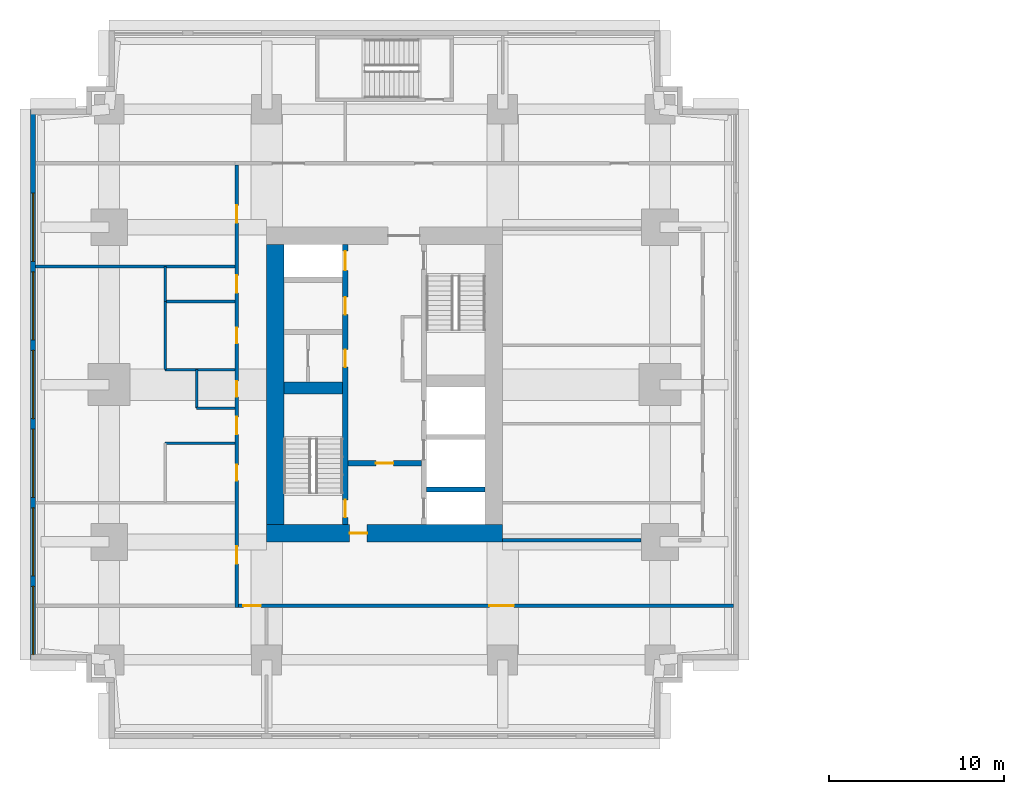
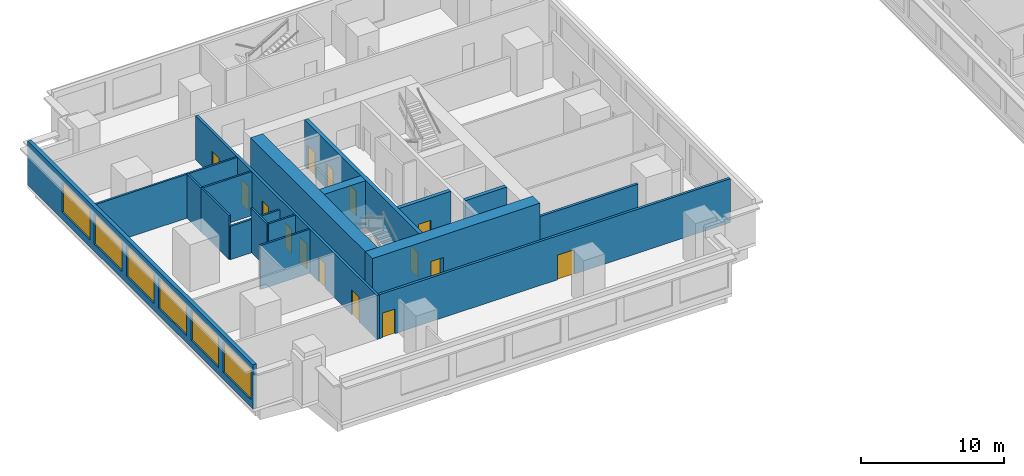
# One storey, part 3 of 10: 18 walls, 15 doors, 6 windows, 21 openings.
"""IFC4 building model written with IfcOpenShell, lengths in metres."""

from ifc_helpers import new_model, si_unit, direction, frame, frame_2d, origin, place, context, subcontext, project, spatial, rectangle, extrude, material, layer, layer_set, type_object, element, fill, save


model = new_model("IFC4")

# Units and contexts
model_context = context("Model", 3, precision=1e-05, world=origin(), true_north=direction((0.0, 1.0)))
body_context = subcontext(model_context, "Body", "Model", "MODEL_VIEW")
ifc_project = project(units=[si_unit("LENGTHUNIT", "METRE"), si_unit("AREAUNIT", "SQUARE_METRE"), si_unit("VOLUMEUNIT", "CUBIC_METRE"), si_unit("PLANEANGLEUNIT", "RADIAN"), si_unit("MASSUNIT", "GRAM", prefix="KILO")], contexts=[model_context])

# Site, building, storey
site_placement = place(None, origin())
site = spatial("IfcSite", under=ifc_project, at=site_placement, CompositionType="ELEMENT")
building_placement = place(site_placement, origin())
building = spatial("IfcBuilding", under=site, at=building_placement, Name="Namib Vertical Campus", CompositionType="ELEMENT")
storey_placement = place(building_placement, frame((0.0, 0.0, 149.0)))
storey = spatial("IfcBuildingStorey", under=building, at=storey_placement, Name="L35", CompositionType="ELEMENT", Elevation=149.0)

# Wall, openings, doors
ifc_material_1 = material(Name="Concrete C60/75", Category="concrete")
ifc_layer_1 = layer(ifc_material_1, 0.300048828125)
ifc_layer_set_1 = layer_set([ifc_layer_1], Name="Concrete C60/75")
wall_type_1 = type_object("IfcWallType", Name="Core inner wall 300", PredefinedType="SHEAR", material=ifc_layer_set_1)
wall_1_placement = place(storey_placement, frame((18.0, 12.25, 0.0), z_axis=(0.0, 0.0, 1.0), x_axis=(0.0, 1.0, 0.0)))
wall_1 = element("IfcWall", 1, at=wall_1_placement, inside=storey, type_object=wall_type_1, Name="Core inner wall A L35 W1", PredefinedType="SHEAR", context=body_context, shape_type="SweptSolid", body=[
    extrude(rectangle(XDim=16.0, YDim=0.300048828125, at=frame_2d((8.0, 0.0))), origin(), (0.0, 0.0, 1.0), 4.0),
])
opening_1_placement = place(wall_1_placement, frame((0.39990234375, 0.0, 0.0)))
opening_1 = element("IfcOpeningElement", 2, at=opening_1_placement, cuts=wall_1, Name="Opening FD1", PredefinedType="OPENING", context=body_context, shape_type="SweptSolid", body=[
    extrude(rectangle(XDim=1.0, YDim=2.10009765625, at=frame_2d((0.5, 1.050048828125))), frame((0.0, 0.159912109375, 0.0), z_axis=(0.0, -1.0, 0.0), x_axis=(1.0, 0.0, 0.0)), (0.0, 0.0, 1.0), 0.320068359375),
])
opening_2_placement = place(wall_1_placement, frame((14.52490234375, 0.0, 0.0)))
opening_2 = element("IfcOpeningElement", 3, at=opening_2_placement, cuts=wall_1, Name="Opening LD1", PredefinedType="OPENING", context=body_context, shape_type="SweptSolid", body=[
    extrude(rectangle(XDim=1.10009765625, YDim=2.10009765625, at=frame_2d((0.550048828125, 1.050048828125))), frame((0.0, 0.159912109375, 0.0), z_axis=(0.0, -1.0, 0.0), x_axis=(1.0, 0.0, 0.0)), (0.0, 0.0, 1.0), 0.320068359375),
])
opening_3_placement = place(wall_1_placement, frame((9.0, 0.0, 0.0)))
opening_3 = element("IfcOpeningElement", 4, at=opening_3_placement, cuts=wall_1, Name="Opening D1", PredefinedType="OPENING", context=body_context, shape_type="SweptSolid", body=[
    extrude(rectangle(XDim=1.0, YDim=2.10009765625, at=frame_2d((0.5, 1.050048828125))), frame((0.0, 0.159912109375, 0.0), z_axis=(0.0, -1.0, 0.0), x_axis=(1.0, 0.0, 0.0)), (0.0, 0.0, 1.0), 0.320068359375),
])
opening_4_placement = place(wall_1_placement, frame((12.0, 0.0, 0.0)))
opening_4 = element("IfcOpeningElement", 5, at=opening_4_placement, cuts=wall_1, Name="Opening D1", PredefinedType="OPENING", context=body_context, shape_type="SweptSolid", body=[
    extrude(rectangle(XDim=1.0, YDim=2.10009765625, at=frame_2d((0.5, 1.050048828125))), frame((0.0, 0.159912109375, 0.0), z_axis=(0.0, -1.0, 0.0), x_axis=(1.0, 0.0, 0.0)), (0.0, 0.0, 1.0), 0.320068359375),
])
ifc_material_2 = material(Name="Timber door leaf", Category="wood")
door_type_1 = type_object("IfcDoorType", Name="Door single 1000x2100", OperationType="SINGLE_SWING_LEFT", PredefinedType="DOOR", material=ifc_material_2)
door_1_placement = place(opening_3_placement, origin())
door_1 = element("IfcDoor", 6, at=door_1_placement, inside=storey, type_object=door_type_1, Name="Door D1 Records store A L35 P1", OperationType="SINGLE_SWING_LEFT", OverallHeight=2.10009765625, OverallWidth=1.0, PredefinedType="DOOR", context=body_context, shape_type="SweptSolid", body=[
    extrude(rectangle(XDim=1.0, YDim=2.10009765625, at=frame_2d((0.5, 1.050048828125))), frame((0.0, 0.02490234375, 0.0), z_axis=(0.0, -1.0, 0.0), x_axis=(1.0, 0.0, 0.0)), (0.0, 0.0, 1.0), 0.050048828125),
])
fill(opening_3, door_1)
door_2_placement = place(opening_4_placement, origin())
door_2 = element("IfcDoor", 7, at=door_2_placement, inside=storey, type_object=door_type_1, Name="Door D1 Staff pantry A L35 P2", OperationType="SINGLE_SWING_LEFT", OverallHeight=2.10009765625, OverallWidth=1.0, PredefinedType="DOOR", context=body_context, shape_type="SweptSolid", body=[
    extrude(rectangle(XDim=1.0, YDim=2.10009765625, at=frame_2d((0.5, 1.050048828125))), frame((0.0, 0.02490234375, 0.0), z_axis=(0.0, -1.0, 0.0), x_axis=(1.0, 0.0, 0.0)), (0.0, 0.0, 1.0), 0.050048828125),
])
fill(opening_4, door_2)
ifc_material_3 = material(Name="Steel fire door", Category="steel")
door_type_2 = type_object("IfcDoorType", Name="Fire door 1000x2100", OperationType="SINGLE_SWING_RIGHT", PredefinedType="DOOR", material=ifc_material_3)
door_3_placement = place(opening_1_placement, origin())
door_3 = element("IfcDoor", 8, at=door_3_placement, inside=storey, type_object=door_type_2, Name="Stair door FD1 A L35 S1", OperationType="SINGLE_SWING_LEFT", OverallHeight=2.10009765625, OverallWidth=1.0, PredefinedType="DOOR", context=body_context, shape_type="SweptSolid", body=[
    extrude(rectangle(XDim=1.0, YDim=2.10009765625, at=frame_2d((0.5, 1.050048828125))), frame((0.0, 0.02490234375, 0.0), z_axis=(0.0, -1.0, 0.0), x_axis=(1.0, 0.0, 0.0)), (0.0, 0.0, 1.0), 0.050048828125),
])
fill(opening_1, door_3)
ifc_material_4 = material(Name="Stainless steel lift door", Category="steel")
door_type_3 = type_object("IfcDoorType", Name="Lift landing door 1100x2100", OperationType="DOUBLE_DOOR_SLIDING", PredefinedType="DOOR", material=ifc_material_4)
door_4_placement = place(opening_2_placement, origin())
door_4 = element("IfcDoor", 9, at=door_4_placement, inside=storey, type_object=door_type_3, Name="Lift landing door LD1 A-P3 L35", OperationType="DOUBLE_DOOR_SLIDING", OverallHeight=2.10009765625, OverallWidth=1.10009765625, PredefinedType="DOOR", context=body_context, shape_type="SweptSolid", body=[
    extrude(rectangle(XDim=1.10009765625, YDim=2.10009765625, at=frame_2d((0.550048828125, 1.050048828125))), frame((0.0, 0.02490234375, 0.0), z_axis=(0.0, -1.0, 0.0), x_axis=(1.0, 0.0, 0.0)), (0.0, 0.0, 1.0), 0.050048828125),
])
fill(opening_2, door_4)

# Wall, opening, door
wall_2_placement = place(storey_placement, frame((18.14990234375, 15.75, 0.0), z_axis=(0.0, 0.0, 1.0), x_axis=(1.0, 0.0, 0.0)))
wall_2 = element("IfcWall", 10, at=wall_2_placement, inside=storey, type_object=wall_type_1, Name="Core inner wall A L35 W4", PredefinedType="SHEAR", context=body_context, shape_type="SweptSolid", body=[
    extrude(rectangle(XDim=4.2001953125, YDim=0.300048828125, at=frame_2d((2.10009765625, 0.0))), origin(), (0.0, 0.0, 1.0), 4.0),
])
opening_5_placement = place(wall_2_placement, frame((1.60009765625, 0.0, 0.0)))
opening_5 = element("IfcOpeningElement", 11, at=opening_5_placement, cuts=wall_2, Name="Opening FD5", PredefinedType="OPENING", context=body_context, shape_type="SweptSolid", body=[
    extrude(rectangle(XDim=1.0, YDim=2.10009765625, at=frame_2d((0.5, 1.050048828125))), frame((0.0, 0.159912109375, 0.0), z_axis=(0.0, -1.0, 0.0), x_axis=(1.0, 0.0, 0.0)), (0.0, 0.0, 1.0), 0.320068359375),
])
ifc_material_5 = material(Name="Steel fire door", Category="steel")
door_type_4 = type_object("IfcDoorType", Name="Fire door 1000x2100 120 min", OperationType="SINGLE_SWING_RIGHT", PredefinedType="DOOR", material=ifc_material_5)
door_5_placement = place(opening_5_placement, frame((1.0, 0.0, 0.0), z_axis=(0.0, 0.0, 1.0), x_axis=(-1.0, 0.0, 0.0)))
door_5 = element("IfcDoor", 12, at=door_5_placement, inside=storey, type_object=door_type_4, Name="Lobby door FD5 A L35", OperationType="SINGLE_SWING_RIGHT", OverallHeight=2.10009765625, OverallWidth=1.0, PredefinedType="DOOR", context=body_context, shape_type="SweptSolid", body=[
    extrude(rectangle(XDim=1.0, YDim=2.10009765625, at=frame_2d((0.5, 1.050048828125))), frame((0.0, 0.02490234375, 0.0), z_axis=(0.0, -1.0, 0.0), x_axis=(1.0, 0.0, 0.0)), (0.0, 0.0, 1.0), 0.050048828125),
])
fill(opening_5, door_5)

# Walls
wall_3_placement = place(storey_placement, frame((22.64990234375, 14.25, 0.0), z_axis=(0.0, 0.0, 1.0), x_axis=(1.0, 0.0, 0.0)))
element("IfcWall", 13, at=wall_3_placement, inside=storey, type_object=wall_type_1, Name="Core inner wall A L35 W5", PredefinedType="SHEAR", context=body_context, shape_type="SweptSolid", body=[
    extrude(rectangle(XDim=3.35009765625, YDim=0.300048828125, at=frame_2d((1.675048828125, 0.0))), origin(), (0.0, 0.0, 1.0), 4.0),
])
ifc_material_6 = material(Name="Concrete C60/75", Category="concrete")
ifc_layer_2 = layer(ifc_material_6, 0.699951171875)
ifc_layer_set_2 = layer_set([ifc_layer_2], Name="Concrete C60/75")
wall_type_2 = type_object("IfcWallType", Name="Core shear wall 700", PredefinedType="SHEAR", material=ifc_layer_set_2)
wall_4_placement = place(storey_placement, frame((14.5, 20.050048828125, 0.0), z_axis=(0.0, 0.0, 1.0), x_axis=(1.0, 0.0, 0.0)))
element("IfcWall", 14, at=wall_4_placement, inside=storey, type_object=wall_type_2, Name="Core shear wall A L35 W3", PredefinedType="SHEAR", context=body_context, shape_type="SweptSolid", body=[
    extrude(rectangle(XDim=3.35009765625, YDim=0.699951171875, at=frame_2d((1.675048828125, 0.0))), origin(), (0.0, 0.0, 1.0), 4.0),
])

# Wall, opening, door
ifc_material_7 = material(Name="Concrete C60/75", Category="concrete")
ifc_layer_3 = layer(ifc_material_7, 1.0)
ifc_layer_set_3 = layer_set([ifc_layer_3], Name="Concrete C60/75")
wall_type_3 = type_object("IfcWallType", Name="Core wall 1000", PredefinedType="SHEAR", material=ifc_layer_set_3)
wall_5_placement = place(storey_placement, frame((13.5, 11.75, 0.0), z_axis=(0.0, 0.0, 1.0), x_axis=(1.0, 0.0, 0.0)))
wall_5 = element("IfcWall", 15, at=wall_5_placement, inside=storey, type_object=wall_type_3, Name="Core wall A L35 1", PredefinedType="SHEAR", context=body_context, shape_type="SweptSolid", body=[
    extrude(rectangle(XDim=13.5, YDim=1.0, at=frame_2d((6.75, 0.0))), origin(), (0.0, 0.0, 1.0), 4.0),
])
opening_6_placement = place(wall_5_placement, frame((4.75, 0.0, 0.0)))
opening_6 = element("IfcOpeningElement", 16, at=opening_6_placement, cuts=wall_5, Name="Opening FD5", PredefinedType="OPENING", context=body_context, shape_type="SweptSolid", body=[
    extrude(rectangle(XDim=1.0, YDim=2.10009765625, at=frame_2d((0.5, 1.050048828125))), frame((0.0, 0.510009765625, 0.0), z_axis=(0.0, -1.0, 0.0), x_axis=(1.0, 0.0, 0.0)), (0.0, 0.0, 1.0), 1.02001953125),
])
door_6_placement = place(opening_6_placement, origin())
door_6 = element("IfcDoor", 17, at=door_6_placement, inside=storey, type_object=door_type_4, Name="Firefighting lobby door FD5 A L35", OperationType="SINGLE_SWING_LEFT", OverallHeight=2.10009765625, OverallWidth=1.0, PredefinedType="DOOR", context=body_context, shape_type="SweptSolid", body=[
    extrude(rectangle(XDim=1.0, YDim=2.10009765625, at=frame_2d((0.5, 1.050048828125))), frame((0.0, 0.02490234375, 0.0), z_axis=(0.0, -1.0, 0.0), x_axis=(1.0, 0.0, 0.0)), (0.0, 0.0, 1.0), 0.050048828125),
])
fill(opening_6, door_6)

# Wall
wall_6_placement = place(storey_placement, frame((14.0, 28.25, 0.0), z_axis=(0.0, 0.0, 1.0), x_axis=(0.0, -1.0, 0.0)))
element("IfcWall", 18, at=wall_6_placement, inside=storey, type_object=wall_type_3, Name="Core wall A L35 4", PredefinedType="SHEAR", context=body_context, shape_type="SweptSolid", body=[
    extrude(rectangle(XDim=16.0, YDim=1.0, at=frame_2d((8.0, 0.0))), origin(), (0.0, 0.0, 1.0), 4.0),
])

# Wall, openings, doors
ifc_material_8 = material(Name="Concrete masonry", Category="masonry")
ifc_layer_4 = layer(ifc_material_8, 0.199951171875)
ifc_layer_set_4 = layer_set([ifc_layer_4], Name="Corridor wall 200")
wall_type_4 = type_object("IfcWallType", Name="Corridor wall 200", PredefinedType="SOLIDWALL", material=ifc_layer_set_4)
wall_7_placement = place(storey_placement, frame((11.89990234375, 7.60009765625, 0.0), z_axis=(0.0, 0.0, 1.0), x_axis=(1.0, 0.0, 0.0)))
wall_7 = element("IfcWall", 19, at=wall_7_placement, inside=storey, type_object=wall_type_4, Name="Corridor wall A L35 CS", PredefinedType="SOLIDWALL", context=body_context, shape_type="SweptSolid", body=[
    extrude(rectangle(XDim=28.300048828125, YDim=0.199951171875, at=frame_2d((14.14990234375, 0.0))), origin(), (0.0, 0.0, 1.0), 3.75),
])
opening_7_placement = place(wall_7_placement, frame((0.27490234375, 0.0, 0.0)))
opening_7 = element("IfcOpeningElement", 20, at=opening_7_placement, cuts=wall_7, Name="Opening CD1", PredefinedType="OPENING", context=body_context, shape_type="SweptSolid", body=[
    extrude(rectangle(XDim=1.0, YDim=2.10009765625, at=frame_2d((0.5, 1.050048828125))), frame((0.0, 0.10986328125, 0.0), z_axis=(0.0, -1.0, 0.0), x_axis=(1.0, 0.0, 0.0)), (0.0, 0.0, 1.0), 0.219970703125),
])
opening_8_placement = place(wall_7_placement, frame((14.35009765625, 0.0, 0.0)))
opening_8 = element("IfcOpeningElement", 21, at=opening_8_placement, cuts=wall_7, Name="Opening LB1", PredefinedType="OPENING", context=body_context, shape_type="SweptSolid", body=[
    extrude(rectangle(XDim=1.39990234375, YDim=2.10009765625, at=frame_2d((0.699951171875, 1.050048828125))), frame((0.0, 0.10986328125, 0.0), z_axis=(0.0, -1.0, 0.0), x_axis=(1.0, 0.0, 0.0)), (0.0, 0.0, 1.0), 0.219970703125),
])
ifc_material_9 = material(Name="Timber fire door leaf", Category="wood")
door_type_5 = type_object("IfcDoorType", Name="Corridor door 1000x2100 20 min", OperationType="SINGLE_SWING_LEFT", PredefinedType="DOOR", material=ifc_material_9)
door_7_placement = place(opening_7_placement, frame((1.0, 0.0, 0.0), z_axis=(0.0, 0.0, 1.0), x_axis=(-1.0, 0.0, 0.0)))
door_7 = element("IfcDoor", 22, at=door_7_placement, inside=storey, type_object=door_type_5, Name="Door CD1 A35-01", OperationType="SINGLE_SWING_LEFT", OverallHeight=2.10009765625, OverallWidth=1.0, PredefinedType="DOOR", context=body_context, shape_type="SweptSolid", body=[
    extrude(rectangle(XDim=1.0, YDim=2.10009765625, at=frame_2d((0.5, 1.050048828125))), frame((0.0, 0.02490234375, 0.0), z_axis=(0.0, -1.0, 0.0), x_axis=(1.0, 0.0, 0.0)), (0.0, 0.0, 1.0), 0.050048828125),
])
fill(opening_7, door_7)
ifc_material_10 = material(Name="Timber fire door leaf", Category="wood")
door_type_6 = type_object("IfcDoorType", Name="Laboratory door 1400x2100 leaf and a half", OperationType="DOUBLE_DOOR_SINGLE_SWING", PredefinedType="DOOR", material=ifc_material_10)
door_8_placement = place(opening_8_placement, frame((1.39990234375, 0.0, 0.0), z_axis=(0.0, 0.0, 1.0), x_axis=(-1.0, 0.0, 0.0)))
door_8 = element("IfcDoor", 23, at=door_8_placement, inside=storey, type_object=door_type_6, Name="Door LB1 A35-02", OperationType="DOUBLE_DOOR_SINGLE_SWING", OverallHeight=2.10009765625, OverallWidth=1.39990234375, PredefinedType="DOOR", context=body_context, shape_type="SweptSolid", body=[
    extrude(rectangle(XDim=1.39990234375, YDim=2.10009765625, at=frame_2d((0.699951171875, 1.050048828125))), frame((0.0, 0.02490234375, 0.0), z_axis=(0.0, -1.0, 0.0), x_axis=(1.0, 0.0, 0.0)), (0.0, 0.0, 1.0), 0.050048828125),
])
fill(opening_8, door_8)

wall_8_placement = place(storey_placement, frame((11.800048828125, 32.800048828125, 0.0), z_axis=(0.0, 0.0, 1.0), x_axis=(0.0, -1.0, 0.0)))
wall_8 = element("IfcWall", 24, at=wall_8_placement, inside=storey, type_object=wall_type_4, Name="Corridor wall A L35 CW", PredefinedType="SOLIDWALL", context=body_context, shape_type="SweptSolid", body=[
    extrude(rectangle(XDim=25.300048828125, YDim=0.199951171875, at=frame_2d((12.64990234375, 0.0))), origin(), (0.0, 0.0, 1.0), 3.75),
])
opening_9_placement = place(wall_8_placement, frame((21.800048828125, 0.0, 0.0)))
opening_9 = element("IfcOpeningElement", 25, at=opening_9_placement, cuts=wall_8, Name="Opening CD1", PredefinedType="OPENING", context=body_context, shape_type="SweptSolid", body=[
    extrude(rectangle(XDim=1.0, YDim=2.10009765625, at=frame_2d((0.5, 1.050048828125))), frame((0.0, 0.10986328125, 0.0), z_axis=(0.0, -1.0, 0.0), x_axis=(1.0, 0.0, 0.0)), (0.0, 0.0, 1.0), 0.219970703125),
])
opening_10_placement = place(wall_8_placement, frame((17.14990234375, 0.0, 0.0)))
opening_10 = element("IfcOpeningElement", 26, at=opening_10_placement, cuts=wall_8, Name="Opening CD3", PredefinedType="OPENING", context=body_context, shape_type="SweptSolid", body=[
    extrude(rectangle(XDim=0.89990234375, YDim=2.10009765625, at=frame_2d((0.449951171875, 1.050048828125))), frame((0.0, 0.10986328125, 0.0), z_axis=(0.0, -1.0, 0.0), x_axis=(1.0, 0.0, 0.0)), (0.0, 0.0, 1.0), 0.219970703125),
])
opening_11_placement = place(wall_8_placement, frame((12.35009765625, 0.0, 0.0)))
opening_11 = element("IfcOpeningElement", 27, at=opening_11_placement, cuts=wall_8, Name="Opening CD3", PredefinedType="OPENING", context=body_context, shape_type="SweptSolid", body=[
    extrude(rectangle(XDim=0.89990234375, YDim=2.10009765625, at=frame_2d((0.449951171875, 1.050048828125))), frame((0.0, 0.10986328125, 0.0), z_axis=(0.0, -1.0, 0.0), x_axis=(1.0, 0.0, 0.0)), (0.0, 0.0, 1.0), 0.219970703125),
])
opening_12_placement = place(wall_8_placement, frame((9.300048828125, 0.0, 0.0)))
opening_12 = element("IfcOpeningElement", 28, at=opening_12_placement, cuts=wall_8, Name="Opening CD3", PredefinedType="OPENING", context=body_context, shape_type="SweptSolid", body=[
    extrude(rectangle(XDim=0.89990234375, YDim=2.10009765625, at=frame_2d((0.449951171875, 1.050048828125))), frame((0.0, 0.10986328125, 0.0), z_axis=(0.0, -1.0, 0.0), x_axis=(1.0, 0.0, 0.0)), (0.0, 0.0, 1.0), 0.219970703125),
])
opening_13_placement = place(wall_8_placement, frame((6.300048828125, 0.0, 0.0)))
opening_13 = element("IfcOpeningElement", 29, at=opening_13_placement, cuts=wall_8, Name="Opening CD1", PredefinedType="OPENING", context=body_context, shape_type="SweptSolid", body=[
    extrude(rectangle(XDim=1.0, YDim=2.10009765625, at=frame_2d((0.5, 1.050048828125))), frame((0.0, 0.10986328125, 0.0), z_axis=(0.0, -1.0, 0.0), x_axis=(1.0, 0.0, 0.0)), (0.0, 0.0, 1.0), 0.219970703125),
])
opening_14_placement = place(wall_8_placement, frame((14.39990234375, 0.0, 0.0)))
opening_14 = element("IfcOpeningElement", 30, at=opening_14_placement, cuts=wall_8, Name="Opening CD1", PredefinedType="OPENING", context=body_context, shape_type="SweptSolid", body=[
    extrude(rectangle(XDim=1.0, YDim=2.10009765625, at=frame_2d((0.5, 1.050048828125))), frame((0.0, 0.10986328125, 0.0), z_axis=(0.0, -1.0, 0.0), x_axis=(1.0, 0.0, 0.0)), (0.0, 0.0, 1.0), 0.219970703125),
])
opening_15_placement = place(wall_8_placement, frame((2.300048828125, 0.0, 0.0)))
opening_15 = element("IfcOpeningElement", 31, at=opening_15_placement, cuts=wall_8, Name="Opening CD1", PredefinedType="OPENING", context=body_context, shape_type="SweptSolid", body=[
    extrude(rectangle(XDim=1.0, YDim=2.10009765625, at=frame_2d((0.5, 1.050048828125))), frame((0.0, 0.10986328125, 0.0), z_axis=(0.0, -1.0, 0.0), x_axis=(1.0, 0.0, 0.0)), (0.0, 0.0, 1.0), 0.219970703125),
])
door_9_placement = place(opening_9_placement, frame((1.0, 0.0, 0.0), z_axis=(0.0, 0.0, 1.0), x_axis=(-1.0, 0.0, 0.0)))
door_9 = element("IfcDoor", 32, at=door_9_placement, inside=storey, type_object=door_type_5, Name="Door CD1 A35-10", OperationType="SINGLE_SWING_RIGHT", OverallHeight=2.10009765625, OverallWidth=1.0, PredefinedType="DOOR", context=body_context, shape_type="SweptSolid", body=[
    extrude(rectangle(XDim=1.0, YDim=2.10009765625, at=frame_2d((0.5, 1.050048828125))), frame((0.0, 0.02490234375, 0.0), z_axis=(0.0, -1.0, 0.0), x_axis=(1.0, 0.0, 0.0)), (0.0, 0.0, 1.0), 0.050048828125),
])
fill(opening_9, door_9)
door_10_placement = place(opening_13_placement, frame((1.0, 0.0, 0.0), z_axis=(0.0, 0.0, 1.0), x_axis=(-1.0, 0.0, 0.0)))
door_10 = element("IfcDoor", 33, at=door_10_placement, inside=storey, type_object=door_type_5, Name="Door CD1 A35-14", OperationType="SINGLE_SWING_RIGHT", OverallHeight=2.10009765625, OverallWidth=1.0, PredefinedType="DOOR", context=body_context, shape_type="SweptSolid", body=[
    extrude(rectangle(XDim=1.0, YDim=2.10009765625, at=frame_2d((0.5, 1.050048828125))), frame((0.0, 0.02490234375, 0.0), z_axis=(0.0, -1.0, 0.0), x_axis=(1.0, 0.0, 0.0)), (0.0, 0.0, 1.0), 0.050048828125),
])
fill(opening_13, door_10)
door_11_placement = place(opening_14_placement, frame((1.0, 0.0, 0.0), z_axis=(0.0, 0.0, 1.0), x_axis=(-1.0, 0.0, 0.0)))
door_11 = element("IfcDoor", 34, at=door_11_placement, inside=storey, type_object=door_type_5, Name="Door CD1 A35-15", OperationType="SINGLE_SWING_RIGHT", OverallHeight=2.10009765625, OverallWidth=1.0, PredefinedType="DOOR", context=body_context, shape_type="SweptSolid", body=[
    extrude(rectangle(XDim=1.0, YDim=2.10009765625, at=frame_2d((0.5, 1.050048828125))), frame((0.0, 0.02490234375, 0.0), z_axis=(0.0, -1.0, 0.0), x_axis=(1.0, 0.0, 0.0)), (0.0, 0.0, 1.0), 0.050048828125),
])
fill(opening_14, door_11)
door_12_placement = place(opening_15_placement, frame((1.0, 0.0, 0.0), z_axis=(0.0, 0.0, 1.0), x_axis=(-1.0, 0.0, 0.0)))
door_12 = element("IfcDoor", 35, at=door_12_placement, inside=storey, type_object=door_type_5, Name="Door CD1 A35-16", OperationType="SINGLE_SWING_RIGHT", OverallHeight=2.10009765625, OverallWidth=1.0, PredefinedType="DOOR", context=body_context, shape_type="SweptSolid", body=[
    extrude(rectangle(XDim=1.0, YDim=2.10009765625, at=frame_2d((0.5, 1.050048828125))), frame((0.0, 0.02490234375, 0.0), z_axis=(0.0, -1.0, 0.0), x_axis=(1.0, 0.0, 0.0)), (0.0, 0.0, 1.0), 0.050048828125),
])
fill(opening_15, door_12)
ifc_material_11 = material(Name="Timber fire door leaf", Category="wood")
door_type_7 = type_object("IfcDoorType", Name="Corridor toilet door 900x2100 20 min", OperationType="SINGLE_SWING_LEFT", PredefinedType="DOOR", material=ifc_material_11)
door_13_placement = place(opening_10_placement, frame((0.89990234375, 0.0, 0.0), z_axis=(0.0, 0.0, 1.0), x_axis=(-1.0, 0.0, 0.0)))
door_13 = element("IfcDoor", 36, at=door_13_placement, inside=storey, type_object=door_type_7, Name="Door CD3 A35-11", OperationType="SINGLE_SWING_RIGHT", OverallHeight=2.10009765625, OverallWidth=0.89990234375, PredefinedType="DOOR", context=body_context, shape_type="SweptSolid", body=[
    extrude(rectangle(XDim=0.89990234375, YDim=2.10009765625, at=frame_2d((0.449951171875, 1.050048828125))), frame((0.0, 0.02490234375, 0.0), z_axis=(0.0, -1.0, 0.0), x_axis=(1.0, 0.0, 0.0)), (0.0, 0.0, 1.0), 0.050048828125),
])
fill(opening_10, door_13)
door_14_placement = place(opening_11_placement, frame((0.89990234375, 0.0, 0.0), z_axis=(0.0, 0.0, 1.0), x_axis=(-1.0, 0.0, 0.0)))
door_14 = element("IfcDoor", 37, at=door_14_placement, inside=storey, type_object=door_type_7, Name="Door CD3 A35-12", OperationType="SINGLE_SWING_RIGHT", OverallHeight=2.10009765625, OverallWidth=0.89990234375, PredefinedType="DOOR", context=body_context, shape_type="SweptSolid", body=[
    extrude(rectangle(XDim=0.89990234375, YDim=2.10009765625, at=frame_2d((0.449951171875, 1.050048828125))), frame((0.0, 0.02490234375, 0.0), z_axis=(0.0, -1.0, 0.0), x_axis=(1.0, 0.0, 0.0)), (0.0, 0.0, 1.0), 0.050048828125),
])
fill(opening_11, door_14)
door_15_placement = place(opening_12_placement, frame((0.89990234375, 0.0, 0.0), z_axis=(0.0, 0.0, 1.0), x_axis=(-1.0, 0.0, 0.0)))
door_15 = element("IfcDoor", 38, at=door_15_placement, inside=storey, type_object=door_type_7, Name="Door CD3 A35-13", OperationType="SINGLE_SWING_RIGHT", OverallHeight=2.10009765625, OverallWidth=0.89990234375, PredefinedType="DOOR", context=body_context, shape_type="SweptSolid", body=[
    extrude(rectangle(XDim=0.89990234375, YDim=2.10009765625, at=frame_2d((0.449951171875, 1.050048828125))), frame((0.0, 0.02490234375, 0.0), z_axis=(0.0, -1.0, 0.0), x_axis=(1.0, 0.0, 0.0)), (0.0, 0.0, 1.0), 0.050048828125),
])
fill(opening_12, door_15)

# Wall
wall_9_placement = place(storey_placement, frame((27.0, 11.35009765625, 0.0), z_axis=(0.0, 0.0, 1.0), x_axis=(1.0, 0.0, 0.0)))
element("IfcWall", 39, at=wall_9_placement, inside=storey, type_object=wall_type_4, Name="Corridor wall A L35 GS", PredefinedType="SOLIDWALL", context=body_context, shape_type="SweptSolid", body=[
    extrude(rectangle(XDim=7.929931640625, YDim=0.199951171875, at=frame_2d((3.96484375, 0.0))), origin(), (0.0, 0.0, 1.0), 2.85009765625),
])

# Wall, openings, windows
ifc_material_12 = material(Name="Concrete C40/50", Category="concrete")
ifc_layer_5 = layer(ifc_material_12, 0.300048828125)
ifc_layer_set_5 = layer_set([ifc_layer_5], Name="Concrete C40/50")
wall_type_5 = type_object("IfcWallType", Name="External wall 300 board-marked concrete", PredefinedType="STANDARD", material=ifc_layer_set_5)
wall_10_placement = place(storey_placement, frame((0.14990234375, 35.97998046875, 0.0), z_axis=(0.0, 0.0, 1.0), x_axis=(0.0, -1.0, 0.0)))
wall_10 = element("IfcWall", 40, at=wall_10_placement, inside=storey, type_object=wall_type_5, Name="External wall L35 F16", PredefinedType="STANDARD", context=body_context, shape_type="SweptSolid", body=[
    extrude(rectangle(XDim=31.4599609375, YDim=0.300048828125, at=frame_2d((15.72998046875, 0.0))), origin(), (0.0, 0.0, 1.0), 3.75),
])
opening_16_placement = place(wall_10_placement, frame((27.280029296875, 0.0, 0.60009765625)))
opening_16 = element("IfcOpeningElement", 41, at=opening_16_placement, cuts=wall_10, Name="Opening W2", PredefinedType="OPENING", context=body_context, shape_type="SweptSolid", body=[
    extrude(rectangle(XDim=3.89990234375, YDim=2.60009765625, at=frame_2d((1.949951171875, 1.300048828125))), frame((0.0, 0.159912109375, 0.0), z_axis=(0.0, -1.0, 0.0), x_axis=(1.0, 0.0, 0.0)), (0.0, 0.0, 1.0), 0.320068359375),
])
opening_17_placement = place(wall_10_placement, frame((22.780029296875, 0.0, 0.60009765625)))
opening_17 = element("IfcOpeningElement", 42, at=opening_17_placement, cuts=wall_10, Name="Opening W2", PredefinedType="OPENING", context=body_context, shape_type="SweptSolid", body=[
    extrude(rectangle(XDim=3.89990234375, YDim=2.60009765625, at=frame_2d((1.949951171875, 1.300048828125))), frame((0.0, 0.159912109375, 0.0), z_axis=(0.0, -1.0, 0.0), x_axis=(1.0, 0.0, 0.0)), (0.0, 0.0, 1.0), 0.320068359375),
])
opening_18_placement = place(wall_10_placement, frame((18.280029296875, 0.0, 0.60009765625)))
opening_18 = element("IfcOpeningElement", 43, at=opening_18_placement, cuts=wall_10, Name="Opening W2", PredefinedType="OPENING", context=body_context, shape_type="SweptSolid", body=[
    extrude(rectangle(XDim=3.89990234375, YDim=2.60009765625, at=frame_2d((1.949951171875, 1.300048828125))), frame((0.0, 0.159912109375, 0.0), z_axis=(0.0, -1.0, 0.0), x_axis=(1.0, 0.0, 0.0)), (0.0, 0.0, 1.0), 0.320068359375),
])
opening_19_placement = place(wall_10_placement, frame((13.780029296875, 0.0, 0.60009765625)))
opening_19 = element("IfcOpeningElement", 44, at=opening_19_placement, cuts=wall_10, Name="Opening W2", PredefinedType="OPENING", context=body_context, shape_type="SweptSolid", body=[
    extrude(rectangle(XDim=3.89990234375, YDim=2.60009765625, at=frame_2d((1.949951171875, 1.300048828125))), frame((0.0, 0.159912109375, 0.0), z_axis=(0.0, -1.0, 0.0), x_axis=(1.0, 0.0, 0.0)), (0.0, 0.0, 1.0), 0.320068359375),
])
opening_20_placement = place(wall_10_placement, frame((9.280029296875, 0.0, 0.60009765625)))
opening_20 = element("IfcOpeningElement", 45, at=opening_20_placement, cuts=wall_10, Name="Opening W2", PredefinedType="OPENING", context=body_context, shape_type="SweptSolid", body=[
    extrude(rectangle(XDim=3.89990234375, YDim=2.60009765625, at=frame_2d((1.949951171875, 1.300048828125))), frame((0.0, 0.159912109375, 0.0), z_axis=(0.0, -1.0, 0.0), x_axis=(1.0, 0.0, 0.0)), (0.0, 0.0, 1.0), 0.320068359375),
])
opening_21_placement = place(wall_10_placement, frame((4.780029296875, 0.0, 0.60009765625)))
opening_21 = element("IfcOpeningElement", 46, at=opening_21_placement, cuts=wall_10, Name="Opening W2", PredefinedType="OPENING", context=body_context, shape_type="SweptSolid", body=[
    extrude(rectangle(XDim=3.89990234375, YDim=2.60009765625, at=frame_2d((1.949951171875, 1.300048828125))), frame((0.0, 0.159912109375, 0.0), z_axis=(0.0, -1.0, 0.0), x_axis=(1.0, 0.0, 0.0)), (0.0, 0.0, 1.0), 0.320068359375),
])
ifc_material_13 = material(Name="Dark tinted glass in black aluminium frame", Category="aluminium")
window_type = type_object("IfcWindowType", Name="Ribbon window 3900x2600", PartitioningType="SINGLE_PANEL", PredefinedType="WINDOW", material=ifc_material_13)
window_1_placement = place(opening_16_placement, origin())
window_1 = element("IfcWindow", 47, at=window_1_placement, inside=storey, type_object=window_type, Name="Window W2 L35 F16-1", OverallHeight=2.60009765625, OverallWidth=3.89990234375, PartitioningType="SINGLE_PANEL", PredefinedType="WINDOW", context=body_context, shape_type="SweptSolid", body=[
    extrude(rectangle(XDim=3.89990234375, YDim=2.60009765625, at=frame_2d((1.949951171875, 1.300048828125))), frame((0.0, 0.030029296875, 0.0), z_axis=(0.0, -1.0, 0.0), x_axis=(1.0, 0.0, 0.0)), (0.0, 0.0, 1.0), 0.06005859375),
])
fill(opening_16, window_1)
window_2_placement = place(opening_17_placement, origin())
window_2 = element("IfcWindow", 48, at=window_2_placement, inside=storey, type_object=window_type, Name="Window W2 L35 F16-2", OverallHeight=2.60009765625, OverallWidth=3.89990234375, PartitioningType="SINGLE_PANEL", PredefinedType="WINDOW", context=body_context, shape_type="SweptSolid", body=[
    extrude(rectangle(XDim=3.89990234375, YDim=2.60009765625, at=frame_2d((1.949951171875, 1.300048828125))), frame((0.0, 0.030029296875, 0.0), z_axis=(0.0, -1.0, 0.0), x_axis=(1.0, 0.0, 0.0)), (0.0, 0.0, 1.0), 0.06005859375),
])
fill(opening_17, window_2)
window_3_placement = place(opening_18_placement, origin())
window_3 = element("IfcWindow", 49, at=window_3_placement, inside=storey, type_object=window_type, Name="Window W2 L35 F16-3", OverallHeight=2.60009765625, OverallWidth=3.89990234375, PartitioningType="SINGLE_PANEL", PredefinedType="WINDOW", context=body_context, shape_type="SweptSolid", body=[
    extrude(rectangle(XDim=3.89990234375, YDim=2.60009765625, at=frame_2d((1.949951171875, 1.300048828125))), frame((0.0, 0.030029296875, 0.0), z_axis=(0.0, -1.0, 0.0), x_axis=(1.0, 0.0, 0.0)), (0.0, 0.0, 1.0), 0.06005859375),
])
fill(opening_18, window_3)
window_4_placement = place(opening_19_placement, origin())
window_4 = element("IfcWindow", 50, at=window_4_placement, inside=storey, type_object=window_type, Name="Window W2 L35 F16-4", OverallHeight=2.60009765625, OverallWidth=3.89990234375, PartitioningType="SINGLE_PANEL", PredefinedType="WINDOW", context=body_context, shape_type="SweptSolid", body=[
    extrude(rectangle(XDim=3.89990234375, YDim=2.60009765625, at=frame_2d((1.949951171875, 1.300048828125))), frame((0.0, 0.030029296875, 0.0), z_axis=(0.0, -1.0, 0.0), x_axis=(1.0, 0.0, 0.0)), (0.0, 0.0, 1.0), 0.06005859375),
])
fill(opening_19, window_4)
window_5_placement = place(opening_20_placement, origin())
window_5 = element("IfcWindow", 51, at=window_5_placement, inside=storey, type_object=window_type, Name="Window W2 L35 F16-5", OverallHeight=2.60009765625, OverallWidth=3.89990234375, PartitioningType="SINGLE_PANEL", PredefinedType="WINDOW", context=body_context, shape_type="SweptSolid", body=[
    extrude(rectangle(XDim=3.89990234375, YDim=2.60009765625, at=frame_2d((1.949951171875, 1.300048828125))), frame((0.0, 0.030029296875, 0.0), z_axis=(0.0, -1.0, 0.0), x_axis=(1.0, 0.0, 0.0)), (0.0, 0.0, 1.0), 0.06005859375),
])
fill(opening_20, window_5)
window_6_placement = place(opening_21_placement, origin())
window_6 = element("IfcWindow", 52, at=window_6_placement, inside=storey, type_object=window_type, Name="Window W2 L35 F16-6", OverallHeight=2.60009765625, OverallWidth=3.89990234375, PartitioningType="SINGLE_PANEL", PredefinedType="WINDOW", context=body_context, shape_type="SweptSolid", body=[
    extrude(rectangle(XDim=3.89990234375, YDim=2.60009765625, at=frame_2d((1.949951171875, 1.300048828125))), frame((0.0, 0.030029296875, 0.0), z_axis=(0.0, -1.0, 0.0), x_axis=(1.0, 0.0, 0.0)), (0.0, 0.0, 1.0), 0.06005859375),
])
fill(opening_21, window_6)

# Walls
ifc_material_14 = material(Name="Gypsum board on steel studs", Category="steel")
ifc_layer_6 = layer(ifc_material_14, 0.14990234375)
ifc_layer_set_6 = layer_set([ifc_layer_6], Name="Gypsum board on steel studs")
wall_type_6 = type_object("IfcWallType", Name="Partition 150", PredefinedType="PARTITIONING", material=ifc_layer_set_6)
wall_11_placement = place(storey_placement, frame((0.300048828125, 27.0, 0.0), z_axis=(0.0, 0.0, 1.0), x_axis=(1.0, 0.0, 0.0)))
element("IfcWall", 53, at=wall_11_placement, inside=storey, type_object=wall_type_6, Name="Partition A L35 PW2", PredefinedType="PARTITIONING", context=body_context, shape_type="SweptSolid", body=[
    extrude(rectangle(XDim=11.39990234375, YDim=0.14990234375, at=frame_2d((5.699951171875, 0.0))), origin(), (0.0, 0.0, 1.0), 3.75),
])
wall_12_placement = place(storey_placement, frame((11.699951171875, 16.89990234375, 0.0), z_axis=(0.0, 0.0, 1.0), x_axis=(-1.0, 0.0, 0.0)))
element("IfcWall", 54, at=wall_12_placement, inside=storey, type_object=wall_type_6, Name="Partition A L35 WR1", PredefinedType="PARTITIONING", context=body_context, shape_type="SweptSolid", body=[
    extrude(rectangle(XDim=4.0, YDim=0.14990234375, at=frame_2d((2.0, 0.0))), origin(), (0.0, 0.0, 1.0), 3.75),
])
wall_13_placement = place(storey_placement, frame((11.699951171875, 18.89990234375, 0.0), z_axis=(0.0, 0.0, 1.0), x_axis=(-1.0, 0.0, 0.0)))
element("IfcWall", 55, at=wall_13_placement, inside=storey, type_object=wall_type_6, Name="Partition A L35 WR2", PredefinedType="PARTITIONING", context=body_context, shape_type="SweptSolid", body=[
    extrude(rectangle(XDim=2.199951171875, YDim=0.14990234375, at=frame_2d((1.10009765625, 0.0))), origin(), (0.0, 0.0, 1.0), 3.75),
])
wall_14_placement = place(storey_placement, frame((11.699951171875, 21.10009765625, 0.0), z_axis=(0.0, 0.0, 1.0), x_axis=(-1.0, 0.0, 0.0)))
element("IfcWall", 56, at=wall_14_placement, inside=storey, type_object=wall_type_6, Name="Partition A L35 WR3", PredefinedType="PARTITIONING", context=body_context, shape_type="SweptSolid", body=[
    extrude(rectangle(XDim=4.0, YDim=0.14990234375, at=frame_2d((2.0, 0.0))), origin(), (0.0, 0.0, 1.0), 2.85009765625),
])
wall_15_placement = place(storey_placement, frame((11.699951171875, 25.0, 0.0), z_axis=(0.0, 0.0, 1.0), x_axis=(-1.0, 0.0, 0.0)))
element("IfcWall", 57, at=wall_15_placement, inside=storey, type_object=wall_type_6, Name="Partition A L35 WR4", PredefinedType="PARTITIONING", context=body_context, shape_type="SweptSolid", body=[
    extrude(rectangle(XDim=4.0, YDim=0.14990234375, at=frame_2d((2.0, 0.0))), origin(), (0.0, 0.0, 1.0), 3.75),
])
wall_16_placement = place(storey_placement, frame((9.5, 18.89990234375, 0.0), z_axis=(0.0, 0.0, 1.0), x_axis=(0.0, 1.0, 0.0)))
element("IfcWall", 58, at=wall_16_placement, inside=storey, type_object=wall_type_6, Name="Partition A L35 WB2", PredefinedType="PARTITIONING", context=body_context, shape_type="SweptSolid", body=[
    extrude(rectangle(XDim=2.2001953125, YDim=0.14990234375, at=frame_2d((1.10009765625, 0.0))), origin(), (0.0, 0.0, 1.0), 3.75),
])
wall_17_placement = place(storey_placement, frame((7.699951171875, 21.10009765625, 0.0), z_axis=(0.0, 0.0, 1.0), x_axis=(0.0, 1.0, 0.0)))
element("IfcWall", 59, at=wall_17_placement, inside=storey, type_object=wall_type_6, Name="Partition A L35 WB3", PredefinedType="PARTITIONING", context=body_context, shape_type="SweptSolid", body=[
    extrude(rectangle(XDim=3.89990234375, YDim=0.14990234375, at=frame_2d((1.949951171875, 0.0))), origin(), (0.0, 0.0, 1.0), 3.75),
])
wall_18_placement = place(storey_placement, frame((7.699951171875, 25.0, 0.0), z_axis=(0.0, 0.0, 1.0), x_axis=(0.0, 1.0, 0.0)))
element("IfcWall", 60, at=wall_18_placement, inside=storey, type_object=wall_type_6, Name="Partition A L35 WB4", PredefinedType="PARTITIONING", context=body_context, shape_type="SweptSolid", body=[
    extrude(rectangle(XDim=2.0, YDim=0.14990234375, at=frame_2d((1.0, 0.0))), origin(), (0.0, 0.0, 1.0), 3.75),
])

save(model, "model.ifc")
